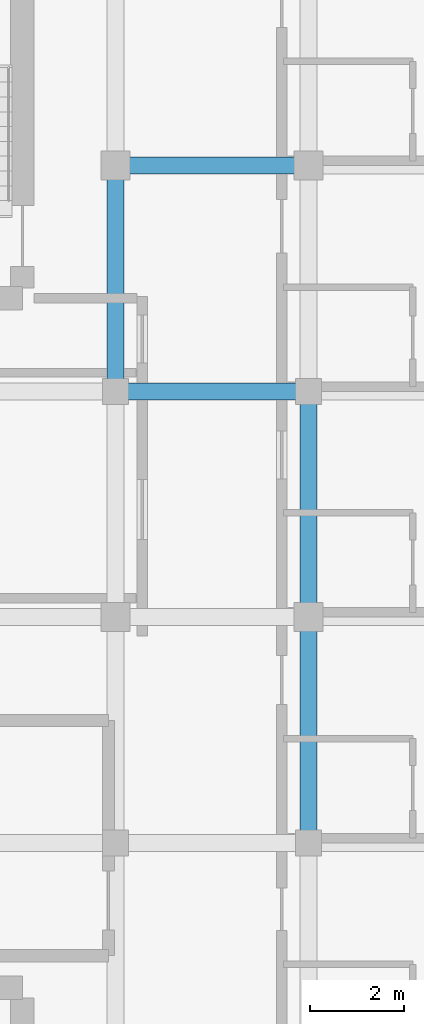
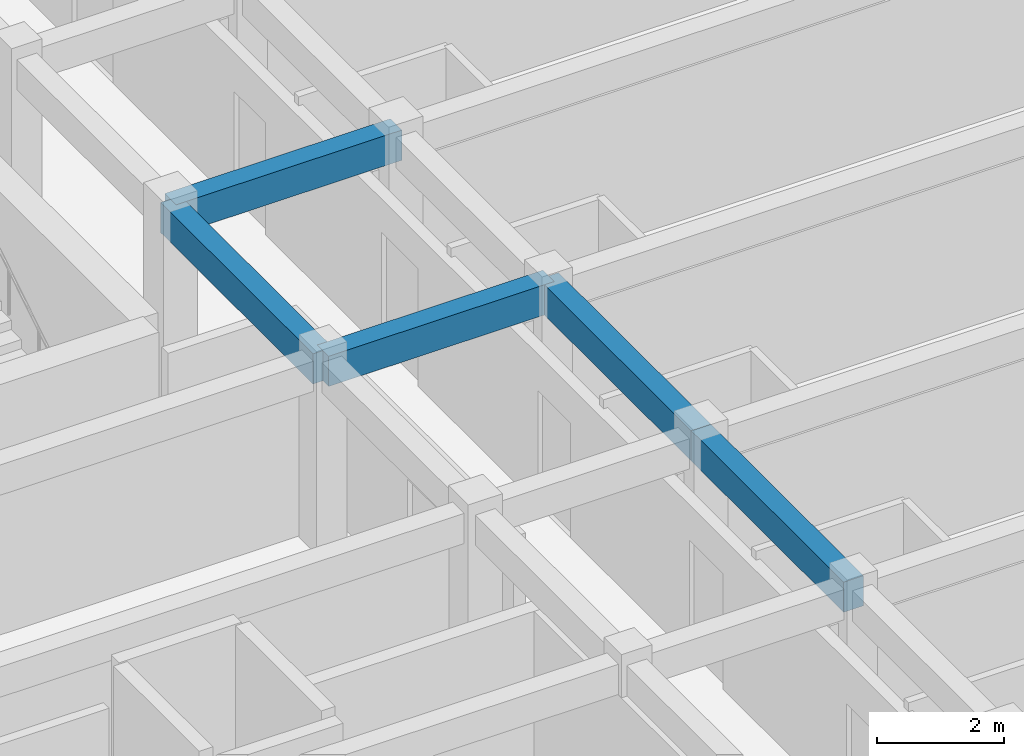
# One storey, part 23 of 50: 5 beams.
"""IFC4 building model written with IfcOpenShell, lengths in metres."""

import ifcopenshell
import ifcopenshell.guid

model = None  # the IFC model being written
_history = None  # IfcOwnerHistory: only IFC2X3 demands one
_inside = {}  # id of a spatial element -> (the spatial element, [elements in it])
_under = {}  # id of a project, library or spatial element -> (it, [spatial elements below it])
_declared = {}  # id of a project -> (the project, [libraries it declares])
_typed = {}  # id of a type object -> (the type object, [elements of that type])
_made_of = {}  # id of a material, layer set ... -> (it, [elements and type objects made of it])


def new_model(schema):
    """Start an empty IFC model of exactly this schema.

    Asked for "IFC4X3", IfcOpenShell would pick the latest addendum, in which some entities
    have other attributes; the version numbers below select the first issue.
    IFC2X3 requires an IfcOwnerHistory on every rooted entity: one is made here for all.
    """
    global model, _history
    if schema == "IFC4X3":
        model = ifcopenshell.file(schema_version=(4, 3, 0, 0))
    else:
        model = ifcopenshell.file(schema=schema)
    _inside.clear()
    _under.clear()
    _declared.clear()
    _typed.clear()
    _made_of.clear()
    _history = None
    if model.schema == "IFC2X3":
        org = make("IfcOrganization", Name="unknown")
        user = make(
            "IfcPersonAndOrganization",
            ThePerson=make("IfcPerson", FamilyName="unknown"),
            TheOrganization=org,
        )
        app = make(
            "IfcApplication",
            ApplicationDeveloper=org,
            Version="unknown",
            ApplicationFullName="unknown",
            ApplicationIdentifier="unknown",
        )
        _history = make(
            "IfcOwnerHistory",
            OwningUser=user,
            OwningApplication=app,
            ChangeAction="ADDED",
            CreationDate=0,
        )
    return model


def make(cls, **values):
    """One entity of the class cls with the attributes given. An attribute that is None is left unset."""
    return model.create_entity(
        cls, **{name: value for name, value in values.items() if value is not None}
    )


def rooted(cls, **values):
    """An entity with a GlobalId (a new one), such as an element, a storey or a relation."""
    return make(cls, GlobalId=ifcopenshell.guid.new(), OwnerHistory=_history, **values)


def si_unit(unit_type, name, prefix=None):
    """IfcSIUnit, for example si_unit("LENGTHUNIT", "METRE", prefix="MILLI")."""
    return make("IfcSIUnit", UnitType=unit_type, Prefix=prefix, Name=name)


def assignment(units):
    """IfcUnitAssignment: the units of a project."""
    return None if units is None else make("IfcUnitAssignment", Units=units)


def point(xyz):
    """IfcCartesianPoint."""
    return None if xyz is None else make("IfcCartesianPoint", Coordinates=xyz)


def direction(xyz):
    """IfcDirection."""
    return None if xyz is None else make("IfcDirection", DirectionRatios=xyz)


def frame(location, z_axis=None, x_axis=None):
    """IfcAxis2Placement3D, a coordinate frame: its origin and axes. An axis left out is left unset."""
    return make(
        "IfcAxis2Placement3D",
        Location=point(location),
        Axis=direction(z_axis),
        RefDirection=direction(x_axis),
    )


def frame_2d(location, x_axis=None):
    """IfcAxis2Placement2D, a coordinate frame in the plane: its origin and x axis."""
    return make(
        "IfcAxis2Placement2D", Location=point(location), RefDirection=direction(x_axis)
    )


def origin():
    """The frame at (0, 0, 0) with its axes left unset."""
    return frame((0.0, 0.0, 0.0))


def origin_2d():
    """The frame at (0, 0) in the plane with its x axis left unset."""
    return frame_2d((0.0, 0.0))


def place(relative_to, where):
    """IfcLocalPlacement: puts the frame where relative to a parent placement (None: the world)."""
    return make(
        "IfcLocalPlacement", PlacementRelTo=relative_to, RelativePlacement=where
    )


def context(
    kind, dimensions, precision=None, world=None, true_north=None, identifier=None
):
    """IfcGeometricRepresentationContext, for example the 3D "Model" context."""
    return make(
        "IfcGeometricRepresentationContext",
        ContextIdentifier=identifier,
        ContextType=kind,
        CoordinateSpaceDimension=dimensions,
        Precision=precision,
        WorldCoordinateSystem=world,
        TrueNorth=true_north,
    )


def subcontext(parent, identifier, kind, view, scale=None):
    """IfcGeometricRepresentationSubContext, for example "Body" below "Model"."""
    return make(
        "IfcGeometricRepresentationSubContext",
        ContextIdentifier=identifier,
        ContextType=kind,
        ParentContext=parent,
        TargetScale=scale,
        TargetView=view,
    )


def project(units=None, contexts=None):
    """IfcProject with its units and contexts."""
    return rooted(
        "IfcProject",
        Name="project",
        RepresentationContexts=contexts,
        UnitsInContext=assignment(units),
    )


def spatial(cls, under=None, at=None, **own):
    """A site, building, storey or space (cls), placed at a placement, below another one or the project."""
    s = rooted(cls, ObjectPlacement=at, **own)
    if under is not None:
        _under.setdefault(under.id(), (under, []))[1].append(s)
    return s


def profile(cls, at=None, kind="AREA", **sizes):
    """A parametric profile (cls). Its sizes go by their IFC names, for example OverallWidth=200.0."""
    return make(cls, ProfileType=kind, Position=at, **sizes)


def rectangle(**sizes):
    """IfcRectangleProfileDef."""
    return profile("IfcRectangleProfileDef", **sizes)


def extrude(swept, where, along, depth):
    """IfcExtrudedAreaSolid: the profile swept, set in the frame where, extruded along a direction by depth."""
    return make(
        "IfcExtrudedAreaSolid",
        SweptArea=swept,
        Position=where,
        ExtrudedDirection=direction(along),
        Depth=depth,
    )


def shape(context_of_items, identifier, shape_type, items):
    """IfcShapeRepresentation: the items that make up one representation, for example the "Body"."""
    return make(
        "IfcShapeRepresentation",
        ContextOfItems=context_of_items,
        RepresentationIdentifier=identifier,
        RepresentationType=shape_type,
        Items=items,
    )


def material(Name=None, Category=None):
    """IfcMaterial."""
    return make("IfcMaterial", Name=Name, Category=Category)


def material_profile(
    of_material, cross_section, Name=None, Category=None, Priority=None
):
    """IfcMaterialProfile: a cross section and its material."""
    return make(
        "IfcMaterialProfile",
        Name=Name,
        Material=of_material,
        Profile=cross_section,
        Priority=Priority,
        Category=Category,
    )


def profile_set(profiles, Name=None, composite=None):
    """IfcMaterialProfileSet."""
    return make(
        "IfcMaterialProfileSet",
        Name=Name,
        MaterialProfiles=profiles,
        CompositeProfile=composite,
    )


def made_of(thing, what):
    """Note that an element or type object is made of a material, layer set ...; save() writes the relation."""
    if what is not None:
        _made_of.setdefault(what.id(), (what, []))[1].append(thing)
    return thing


def type_object(cls, material=None, **own):
    """A type object (cls), such as IfcWallType, which elements share."""
    return made_of(rooted(cls, **own), material)


def element(
    cls,
    number,
    at=None,
    inside=None,
    cuts=None,
    type_object=None,
    material=None,
    context=None,
    identifier="Body",
    shape_type=None,
    held_by="IfcProductDefinitionShape",
    body=None,
    shapes=None,
    **own,
):
    """One element of the class cls, such as IfcWall. Its Tag is "e" and its number.

    at: its placement. inside: the storey or other place that contains it. cuts: it is an
    opening in that element (IfcRelVoidsElement). A single representation is given by context,
    identifier, shape_type and body (its items); several are given by shapes. held_by: the class
    of the entity that holds the representations. save() writes the other relations.
    """
    e = rooted(cls, Tag="e%d" % number, ObjectPlacement=at, **own)
    if body is not None:
        shapes = [shape(context, identifier, shape_type, body)]
    if shapes is not None:
        e.Representation = make(held_by, Representations=shapes)
    if inside is not None:
        _inside.setdefault(inside.id(), (inside, []))[1].append(e)
    if cuts is not None:
        rooted(
            "IfcRelVoidsElement", RelatingBuildingElement=cuts, RelatedOpeningElement=e
        )
    if type_object is not None:
        _typed.setdefault(type_object.id(), (type_object, []))[1].append(e)
    return made_of(e, material)


def aggregate(whole, parts):
    """IfcRelAggregates: a whole, such as a stair, and the parts it consists of."""
    return rooted("IfcRelAggregates", RelatingObject=whole, RelatedObjects=parts)


def save(model, path):
    """Write the relations noted so far, then the file.

    IfcRelAggregates (storeys below a building ...), IfcRelContainedInSpatialStructure (elements
    in a storey), IfcRelDefinesByType, IfcRelAssociatesMaterial and IfcRelDeclares: one each for
    every whole, place, type object, material and project.
    """
    for whole, parts in _under.values():
        aggregate(whole, parts)
    for where, things in _inside.values():
        rooted(
            "IfcRelContainedInSpatialStructure",
            RelatedElements=things,
            RelatingStructure=where,
        )
    for kind, things in _typed.values():
        rooted("IfcRelDefinesByType", RelatedObjects=things, RelatingType=kind)
    for what, things in _made_of.values():
        rooted("IfcRelAssociatesMaterial", RelatedObjects=things, RelatingMaterial=what)
    for by, libraries in _declared.values():
        rooted("IfcRelDeclares", RelatingContext=by, RelatedDefinitions=libraries)
    model.write(path)


model = new_model("IFC4")

# Units and contexts
model_context = context("Model", 3, precision=1e-05, world=origin(), true_north=direction((0.0, 1.0)))
body_context = subcontext(model_context, "Body", "Model", "MODEL_VIEW")
ifc_project = project(units=[si_unit("LENGTHUNIT", "METRE"), si_unit("AREAUNIT", "SQUARE_METRE"), si_unit("VOLUMEUNIT", "CUBIC_METRE"), si_unit("PLANEANGLEUNIT", "RADIAN"), si_unit("MASSUNIT", "GRAM", prefix="KILO")], contexts=[model_context])

# Site, building, storey
site_placement = place(None, origin())
site = spatial("IfcSite", under=ifc_project, at=site_placement, CompositionType="ELEMENT")
building_placement = place(site_placement, origin())
building = spatial("IfcBuilding", under=site, at=building_placement, Name="Nakhvara Creek Congress Hotel", CompositionType="ELEMENT")
storey_placement = place(building_placement, frame((0.0, 0.0, 42.60009765625)))
storey = spatial("IfcBuildingStorey", under=building, at=storey_placement, Name="L10", CompositionType="ELEMENT", Elevation=42.60009765625)

# Beams
ifc_material = material(Name="Concrete C40/50", Category="concrete")
ifc_material_profile = material_profile(ifc_material, rectangle(XDim=0.360107421875, YDim=0.580078125, at=origin_2d()), Name="RC-BM 360x580", Category="LoadBearing")
ifc_profile_set = profile_set([ifc_material_profile], Name="Concrete C40/50")
beam_type = type_object("IfcBeamType", Name="BM-RC-360X580", PredefinedType="BEAM", material=ifc_profile_set)
beam_1_placement = place(storey_placement, frame((162.35009765625, 105.60009765625, 3.369873046875), z_axis=(1.0, 0.0, 0.0), x_axis=(0.0, 1.0, 0.0)))
element("IfcBeam", 1, at=beam_1_placement, inside=storey, type_object=beam_type, Name="Beam B09-L10-2660", PredefinedType="BEAM", context=body_context, shape_type="SweptSolid", body=[
    extrude(rectangle(XDim=0.360107421875, YDim=0.580078125, at=origin_2d()), origin(), (0.0, 0.0, 1.0), 4.099853515625),
])
for number, where, z_axis, x_axis, name in (
    (2, (162.35009765625, 100.800048828125, 3.369873046875), (0.0, 1.0, 0.0), (-1.0, 0.0, 0.0), "Beam B09-L10-2661"),
    (3, (166.449951171875, 91.199951171875, 3.369873046875), (0.0, 1.0, 0.0), (-1.0, 0.0, 0.0), "Beam B09-L10-2678"),
    (4, (166.449951171875, 96.0, 3.369873046875), (0.0, 1.0, 0.0), (-1.0, 0.0, 0.0), "Beam B09-L10-2679"),
):
    element("IfcBeam", number, at=place(storey_placement, frame(where, z_axis=z_axis, x_axis=x_axis)), inside=storey, type_object=beam_type, Name=name, PredefinedType="BEAM", context=body_context, shape_type="SweptSolid", body=[
        extrude(rectangle(XDim=0.360107421875, YDim=0.580078125, at=origin_2d()), origin(), (0.0, 0.0, 1.0), 4.800048828125),
    ])
beam_2_placement = place(storey_placement, frame((162.35009765625, 100.800048828125, 3.369873046875), z_axis=(1.0, 0.0, 0.0), x_axis=(0.0, 1.0, 0.0)))
element("IfcBeam", 5, at=beam_2_placement, inside=storey, type_object=beam_type, Name="Beam B09-L10-2710", PredefinedType="BEAM", context=body_context, shape_type="SweptSolid", body=[
    extrude(rectangle(XDim=0.360107421875, YDim=0.580078125, at=origin_2d()), origin(), (0.0, 0.0, 1.0), 4.099853515625),
])

save(model, "model.ifc")
